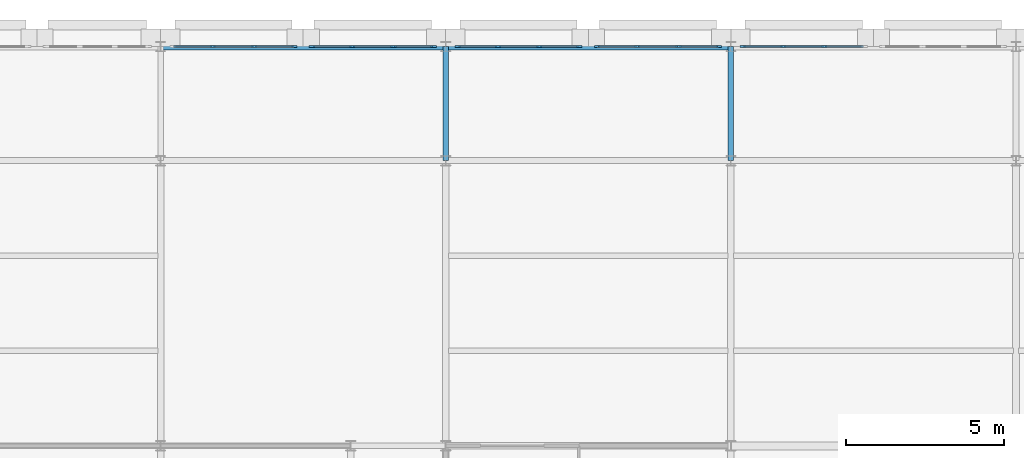
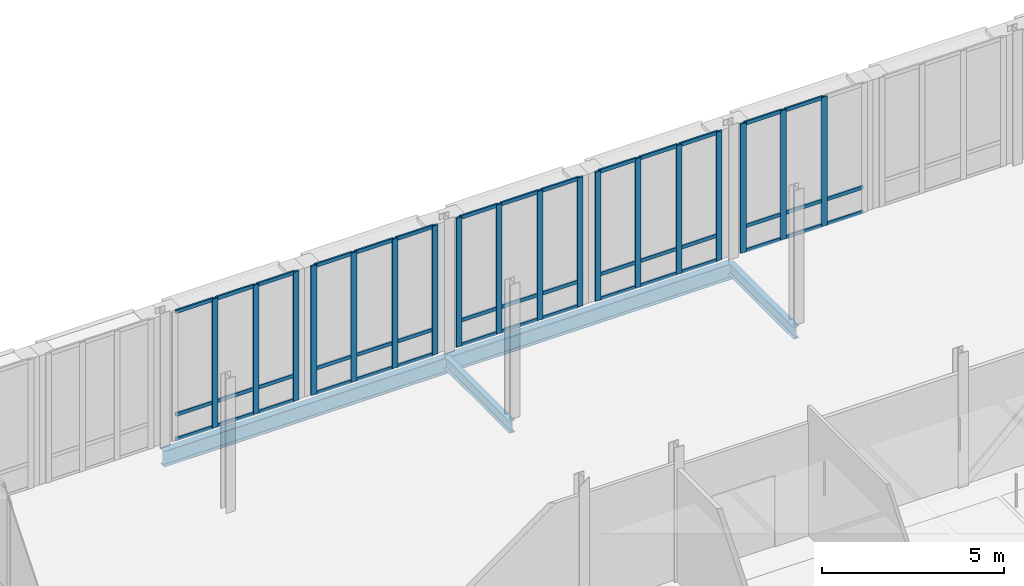
# One storey, part 42 of 130: 62 members, 4 beams, 5 elements without a shape of their own.
"""IFC4 building model written with IfcOpenShell, lengths in metres."""

from ifc_helpers import new_model, si_unit, direction, frame, origin, origin_2d, place, context, subcontext, project, spatial, rectangle, i_section, extrude, material, material_profile, profile_set, type_object, element, aggregate, save


model = new_model("IFC4")

# Units and contexts
model_context = context("Model", 3, precision=1e-05, world=origin(), true_north=direction((0.0, 1.0)))
body_context = subcontext(model_context, "Body", "Model", "MODEL_VIEW")
ifc_project = project(units=[si_unit("LENGTHUNIT", "METRE"), si_unit("AREAUNIT", "SQUARE_METRE"), si_unit("VOLUMEUNIT", "CUBIC_METRE"), si_unit("PLANEANGLEUNIT", "RADIAN"), si_unit("MASSUNIT", "GRAM", prefix="KILO"), si_unit("THERMODYNAMICTEMPERATUREUNIT", "KELVIN"), si_unit("POWERUNIT", "WATT")], contexts=[model_context])

# Site, building, storey
site_placement = place(None, origin())
site = spatial("IfcSite", under=ifc_project, at=site_placement, CompositionType="ELEMENT")
building_placement = place(site_placement, origin())
building = spatial("IfcBuilding", under=site, at=building_placement, Name="Tallowbark Science Centre", CompositionType="ELEMENT")
storey_placement = place(building_placement, frame((0.0, 0.0, 5.39990234375)))
storey = spatial("IfcBuildingStorey", under=building, at=storey_placement, Name="L01", CompositionType="ELEMENT", Elevation=5.39990234375)

# Beams
ifc_material_1 = material(Name="Structural Steel Grade 300PLUS (300 MPa)", Category="steel")
ifc_material_profile_1 = material_profile(ifc_material_1, i_section(OverallWidth=0.177734375, OverallDepth=0.406494140625, WebThickness=0.0078125, FlangeThickness=0.0126953125, FilletRadius=0.011474609375, at=origin_2d()), Name="410UB59.7")
ifc_profile_set_1 = profile_set([ifc_material_profile_1], Name="Structural Steel Grade 300PLUS (300 MPa)")
beam_type_1 = type_object("IfcBeamType", Name="BM-UB410", PredefinedType="BEAM", material=ifc_profile_set_1)
for number, where, z_axis, x_axis, name in (
    (1, (72.0, 108.0, -0.383056640625), (0.0, 1.0, 0.0), (-1.0, 0.0, 0.0), "Primary Girder GRDY-L01-720-1080-1116"),
    (2, (81.0, 108.0, -0.383056640625), (0.0, 1.0, 0.0), (-1.0, 0.0, 0.0), "Primary Girder GRDY-L01-810-1080-1116"),
):
    element("IfcBeam", number, at=place(storey_placement, frame(where, z_axis=z_axis, x_axis=x_axis)), inside=storey, type_object=beam_type_1, Name=name, PredefinedType="BEAM", context=body_context, shape_type="SweptSolid", body=[
        extrude(i_section(OverallWidth=0.177734375, OverallDepth=0.406494140625, WebThickness=0.0078125, FlangeThickness=0.0126953125, FilletRadius=0.011474609375, at=origin_2d()), origin(), (0.0, 0.0, 1.0), 3.60009765625),
    ])

# Curtain wall, members
ifc_material_2 = material(Name="Unitised Thermally Broken Aluminium and Low-E Double Glazing", Category="aluminium")
curtain_wall_type = type_object("IfcCurtainWallType", Name="CW-SYS-FACADE", PredefinedType="NOTDEFINED", material=ifc_material_2)
curtain_wall_1_placement = place(storey_placement, origin())
curtain_wall_1 = element("IfcCurtainWall", 3, at=curtain_wall_1_placement, inside=storey, type_object=curtain_wall_type, Name="Unitised Curtain Wall CAF-N-63A CW-L01-051", PredefinedType="NOTDEFINED")
ifc_material_3 = material(Name="Anodised Architectural Aluminium Alloy 6063-T6", Category="aluminium")
ifc_material_profile_2 = material_profile(ifc_material_3, rectangle(XDim=0.06494140625, YDim=0.179931640625, at=origin_2d()), Name="ALU65x180")
ifc_profile_set_2 = profile_set([ifc_material_profile_2], Name="Anodised Architectural Aluminium Alloy 6063-T6")
member_type_1 = type_object("IfcMemberType", Name="CWM-MUL-220", PredefinedType="MULLION", material=ifc_profile_set_2)
member_1_placement = place(storey_placement, frame((71.617431640625, 111.60009765625, 0.0), z_axis=(0.0, 0.0, 1.0), x_axis=(0.0, -1.0, 0.0)))
member_1 = element("IfcMember", 4, at=member_1_placement, type_object=member_type_1, Name="CW-01 mullion 1", PredefinedType="MULLION", context=body_context, shape_type="SweptSolid", body=[
    extrude(rectangle(XDim=0.06494140625, YDim=0.179931640625, at=origin_2d()), origin(), (0.0, 0.0, 1.0), 4.320068359375),
])
member_2_placement = place(storey_placement, frame((70.35009765625, 111.60009765625, 0.0), z_axis=(0.0, 0.0, 1.0), x_axis=(0.0, -1.0, 0.0)))
member_2 = element("IfcMember", 5, at=member_2_placement, type_object=member_type_1, Name="CW-01 mullion 2", PredefinedType="MULLION", context=body_context, shape_type="SweptSolid", body=[
    extrude(rectangle(XDim=0.06494140625, YDim=0.179931640625, at=origin_2d()), origin(), (0.0, 0.0, 1.0), 4.320068359375),
])
member_3_placement = place(storey_placement, frame((69.050048828125, 111.60009765625, 0.0), z_axis=(0.0, 0.0, 1.0), x_axis=(0.0, -1.0, 0.0)))
member_3 = element("IfcMember", 6, at=member_3_placement, type_object=member_type_1, Name="CW-01 mullion 3", PredefinedType="MULLION", context=body_context, shape_type="SweptSolid", body=[
    extrude(rectangle(XDim=0.06494140625, YDim=0.179931640625, at=origin_2d()), origin(), (0.0, 0.0, 1.0), 4.320068359375),
])
member_4_placement = place(storey_placement, frame((67.782470703125, 111.60009765625, 0.0), z_axis=(0.0, 0.0, 1.0), x_axis=(0.0, -1.0, 0.0)))
member_4 = element("IfcMember", 7, at=member_4_placement, type_object=member_type_1, Name="CW-01 mullion 4", PredefinedType="MULLION", context=body_context, shape_type="SweptSolid", body=[
    extrude(rectangle(XDim=0.06494140625, YDim=0.179931640625, at=origin_2d()), origin(), (0.0, 0.0, 1.0), 4.320068359375),
])

curtain_wall_2_placement = place(storey_placement, origin())
curtain_wall_2 = element("IfcCurtainWall", 8, at=curtain_wall_2_placement, inside=storey, type_object=curtain_wall_type, Name="Unitised Curtain Wall CAF-N-63B CW-L01-052", PredefinedType="NOTDEFINED")
member_5_placement = place(storey_placement, frame((67.217529296875, 111.60009765625, 0.0), z_axis=(0.0, 0.0, 1.0), x_axis=(0.0, -1.0, 0.0)))
member_5 = element("IfcMember", 9, at=member_5_placement, type_object=member_type_1, Name="CW-01 mullion 1", PredefinedType="MULLION", context=body_context, shape_type="SweptSolid", body=[
    extrude(rectangle(XDim=0.06494140625, YDim=0.179931640625, at=origin_2d()), origin(), (0.0, 0.0, 1.0), 4.320068359375),
])
member_6_placement = place(storey_placement, frame((65.949951171875, 111.60009765625, 0.0), z_axis=(0.0, 0.0, 1.0), x_axis=(0.0, -1.0, 0.0)))
member_6 = element("IfcMember", 10, at=member_6_placement, type_object=member_type_1, Name="CW-01 mullion 2", PredefinedType="MULLION", context=body_context, shape_type="SweptSolid", body=[
    extrude(rectangle(XDim=0.06494140625, YDim=0.179931640625, at=origin_2d()), origin(), (0.0, 0.0, 1.0), 4.320068359375),
])
member_7_placement = place(storey_placement, frame((64.64990234375, 111.60009765625, 0.0), z_axis=(0.0, 0.0, 1.0), x_axis=(0.0, -1.0, 0.0)))
member_7 = element("IfcMember", 11, at=member_7_placement, type_object=member_type_1, Name="CW-01 mullion 3", PredefinedType="MULLION", context=body_context, shape_type="SweptSolid", body=[
    extrude(rectangle(XDim=0.06494140625, YDim=0.179931640625, at=origin_2d()), origin(), (0.0, 0.0, 1.0), 4.320068359375),
])

curtain_wall_3_placement = place(storey_placement, origin())
curtain_wall_3 = element("IfcCurtainWall", 12, at=curtain_wall_3_placement, inside=storey, type_object=curtain_wall_type, Name="Unitised Curtain Wall CAF-N-72A CW-L01-053", PredefinedType="NOTDEFINED")
member_8_placement = place(storey_placement, frame((80.617431640625, 111.60009765625, 0.0), z_axis=(0.0, 0.0, 1.0), x_axis=(0.0, -1.0, 0.0)))
member_8 = element("IfcMember", 13, at=member_8_placement, type_object=member_type_1, Name="CW-01 mullion 1", PredefinedType="MULLION", context=body_context, shape_type="SweptSolid", body=[
    extrude(rectangle(XDim=0.06494140625, YDim=0.179931640625, at=origin_2d()), origin(), (0.0, 0.0, 1.0), 4.320068359375),
])
member_9_placement = place(storey_placement, frame((79.35009765625, 111.60009765625, 0.0), z_axis=(0.0, 0.0, 1.0), x_axis=(0.0, -1.0, 0.0)))
member_9 = element("IfcMember", 14, at=member_9_placement, type_object=member_type_1, Name="CW-01 mullion 2", PredefinedType="MULLION", context=body_context, shape_type="SweptSolid", body=[
    extrude(rectangle(XDim=0.06494140625, YDim=0.179931640625, at=origin_2d()), origin(), (0.0, 0.0, 1.0), 4.320068359375),
])
member_10_placement = place(storey_placement, frame((78.050048828125, 111.60009765625, 0.0), z_axis=(0.0, 0.0, 1.0), x_axis=(0.0, -1.0, 0.0)))
member_10 = element("IfcMember", 15, at=member_10_placement, type_object=member_type_1, Name="CW-01 mullion 3", PredefinedType="MULLION", context=body_context, shape_type="SweptSolid", body=[
    extrude(rectangle(XDim=0.06494140625, YDim=0.179931640625, at=origin_2d()), origin(), (0.0, 0.0, 1.0), 4.320068359375),
])
member_11_placement = place(storey_placement, frame((76.782470703125, 111.60009765625, 0.0), z_axis=(0.0, 0.0, 1.0), x_axis=(0.0, -1.0, 0.0)))
member_11 = element("IfcMember", 16, at=member_11_placement, type_object=member_type_1, Name="CW-01 mullion 4", PredefinedType="MULLION", context=body_context, shape_type="SweptSolid", body=[
    extrude(rectangle(XDim=0.06494140625, YDim=0.179931640625, at=origin_2d()), origin(), (0.0, 0.0, 1.0), 4.320068359375),
])

curtain_wall_4_placement = place(storey_placement, origin())
curtain_wall_4 = element("IfcCurtainWall", 17, at=curtain_wall_4_placement, inside=storey, type_object=curtain_wall_type, Name="Unitised Curtain Wall CAF-N-72B CW-L01-054", PredefinedType="NOTDEFINED")
member_12_placement = place(storey_placement, frame((76.217529296875, 111.60009765625, 0.0), z_axis=(0.0, 0.0, 1.0), x_axis=(0.0, -1.0, 0.0)))
member_12 = element("IfcMember", 18, at=member_12_placement, type_object=member_type_1, Name="CW-01 mullion 1", PredefinedType="MULLION", context=body_context, shape_type="SweptSolid", body=[
    extrude(rectangle(XDim=0.06494140625, YDim=0.179931640625, at=origin_2d()), origin(), (0.0, 0.0, 1.0), 4.320068359375),
])
member_13_placement = place(storey_placement, frame((74.949951171875, 111.60009765625, 0.0), z_axis=(0.0, 0.0, 1.0), x_axis=(0.0, -1.0, 0.0)))
member_13 = element("IfcMember", 19, at=member_13_placement, type_object=member_type_1, Name="CW-01 mullion 2", PredefinedType="MULLION", context=body_context, shape_type="SweptSolid", body=[
    extrude(rectangle(XDim=0.06494140625, YDim=0.179931640625, at=origin_2d()), origin(), (0.0, 0.0, 1.0), 4.320068359375),
])
member_14_placement = place(storey_placement, frame((73.64990234375, 111.60009765625, 0.0), z_axis=(0.0, 0.0, 1.0), x_axis=(0.0, -1.0, 0.0)))
member_14 = element("IfcMember", 20, at=member_14_placement, type_object=member_type_1, Name="CW-01 mullion 3", PredefinedType="MULLION", context=body_context, shape_type="SweptSolid", body=[
    extrude(rectangle(XDim=0.06494140625, YDim=0.179931640625, at=origin_2d()), origin(), (0.0, 0.0, 1.0), 4.320068359375),
])
member_15_placement = place(storey_placement, frame((72.382568359375, 111.60009765625, 0.0), z_axis=(0.0, 0.0, 1.0), x_axis=(0.0, -1.0, 0.0)))
member_15 = element("IfcMember", 21, at=member_15_placement, type_object=member_type_1, Name="CW-01 mullion 4", PredefinedType="MULLION", context=body_context, shape_type="SweptSolid", body=[
    extrude(rectangle(XDim=0.06494140625, YDim=0.179931640625, at=origin_2d()), origin(), (0.0, 0.0, 1.0), 4.320068359375),
])

curtain_wall_5_placement = place(storey_placement, origin())
curtain_wall_5 = element("IfcCurtainWall", 22, at=curtain_wall_5_placement, inside=storey, type_object=curtain_wall_type, Name="Unitised Curtain Wall CAF-N-81B CW-L01-056", PredefinedType="NOTDEFINED")
member_16_placement = place(storey_placement, frame((83.949951171875, 111.60009765625, 0.0), z_axis=(0.0, 0.0, 1.0), x_axis=(0.0, -1.0, 0.0)))
member_16 = element("IfcMember", 23, at=member_16_placement, type_object=member_type_1, Name="CW-01 mullion 2", PredefinedType="MULLION", context=body_context, shape_type="SweptSolid", body=[
    extrude(rectangle(XDim=0.06494140625, YDim=0.179931640625, at=origin_2d()), origin(), (0.0, 0.0, 1.0), 4.320068359375),
])
member_17_placement = place(storey_placement, frame((82.64990234375, 111.60009765625, 0.0), z_axis=(0.0, 0.0, 1.0), x_axis=(0.0, -1.0, 0.0)))
member_17 = element("IfcMember", 24, at=member_17_placement, type_object=member_type_1, Name="CW-01 mullion 3", PredefinedType="MULLION", context=body_context, shape_type="SweptSolid", body=[
    extrude(rectangle(XDim=0.06494140625, YDim=0.179931640625, at=origin_2d()), origin(), (0.0, 0.0, 1.0), 4.320068359375),
])
member_18_placement = place(storey_placement, frame((81.382568359375, 111.60009765625, 0.0), z_axis=(0.0, 0.0, 1.0), x_axis=(0.0, -1.0, 0.0)))
member_18 = element("IfcMember", 25, at=member_18_placement, type_object=member_type_1, Name="CW-01 mullion 4", PredefinedType="MULLION", context=body_context, shape_type="SweptSolid", body=[
    extrude(rectangle(XDim=0.06494140625, YDim=0.179931640625, at=origin_2d()), origin(), (0.0, 0.0, 1.0), 4.320068359375),
])

# Member
ifc_material_profile_3 = material_profile(ifc_material_3, rectangle(XDim=0.054931640625, YDim=0.1201171875, at=origin_2d()), Name="ALU55x120")
ifc_profile_set_3 = profile_set([ifc_material_profile_3], Name="Anodised Architectural Aluminium Alloy 6063-T6")
member_type_2 = type_object("IfcMemberType", Name="CWM-TRN-150", PredefinedType="USERDEFINED", material=ifc_profile_set_3)
member_19_placement = place(storey_placement, frame((71.5849609375, 111.60009765625, 0.027587890625), z_axis=(-1.0, 0.0, 0.0), x_axis=(0.0, -1.0, 0.0)))
member_19 = element("IfcMember", 26, at=member_19_placement, type_object=member_type_2, Name="CW-01 transom 1.1", ObjectType="TRANSOM", PredefinedType="USERDEFINED", context=body_context, shape_type="SweptSolid", body=[
    extrude(rectangle(XDim=0.054931640625, YDim=0.1201171875, at=origin_2d()), origin(), (0.0, 0.0, 1.0), 1.202392578125),
])

member_20_placement = place(storey_placement, frame((71.5849609375, 111.60009765625, 0.85009765625), z_axis=(-1.0, 0.0, 0.0), x_axis=(0.0, -1.0, 0.0)))
member_20 = element("IfcMember", 27, at=member_20_placement, type_object=member_type_2, Name="CW-01 transom 1.2", ObjectType="TRANSOM", PredefinedType="USERDEFINED", context=body_context, shape_type="SweptSolid", body=[
    extrude(rectangle(XDim=0.054931640625, YDim=0.1201171875, at=origin_2d()), origin(), (0.0, 0.0, 1.0), 1.202392578125),
])

member_21_placement = place(storey_placement, frame((71.5849609375, 111.60009765625, 4.29248046875), z_axis=(-1.0, 0.0, 0.0), x_axis=(0.0, -1.0, 0.0)))
member_21 = element("IfcMember", 28, at=member_21_placement, type_object=member_type_2, Name="CW-01 transom 1.3", ObjectType="TRANSOM", PredefinedType="USERDEFINED", context=body_context, shape_type="SweptSolid", body=[
    extrude(rectangle(XDim=0.054931640625, YDim=0.1201171875, at=origin_2d()), origin(), (0.0, 0.0, 1.0), 1.202392578125),
])

member_22_placement = place(storey_placement, frame((70.3173828125, 111.60009765625, 0.027587890625), z_axis=(-1.0, 0.0, 0.0), x_axis=(0.0, -1.0, 0.0)))
member_22 = element("IfcMember", 29, at=member_22_placement, type_object=member_type_2, Name="CW-01 transom 2.1", ObjectType="TRANSOM", PredefinedType="USERDEFINED", context=body_context, shape_type="SweptSolid", body=[
    extrude(rectangle(XDim=0.054931640625, YDim=0.1201171875, at=origin_2d()), origin(), (0.0, 0.0, 1.0), 1.23486328125),
])

member_23_placement = place(storey_placement, frame((70.3173828125, 111.60009765625, 0.85009765625), z_axis=(-1.0, 0.0, 0.0), x_axis=(0.0, -1.0, 0.0)))
member_23 = element("IfcMember", 30, at=member_23_placement, type_object=member_type_2, Name="CW-01 transom 2.2", ObjectType="TRANSOM", PredefinedType="USERDEFINED", context=body_context, shape_type="SweptSolid", body=[
    extrude(rectangle(XDim=0.054931640625, YDim=0.1201171875, at=origin_2d()), origin(), (0.0, 0.0, 1.0), 1.23486328125),
])

member_24_placement = place(storey_placement, frame((70.3173828125, 111.60009765625, 4.29248046875), z_axis=(-1.0, 0.0, 0.0), x_axis=(0.0, -1.0, 0.0)))
member_24 = element("IfcMember", 31, at=member_24_placement, type_object=member_type_2, Name="CW-01 transom 2.3", ObjectType="TRANSOM", PredefinedType="USERDEFINED", context=body_context, shape_type="SweptSolid", body=[
    extrude(rectangle(XDim=0.054931640625, YDim=0.1201171875, at=origin_2d()), origin(), (0.0, 0.0, 1.0), 1.23486328125),
])

member_25_placement = place(storey_placement, frame((69.017578125, 111.60009765625, 0.027587890625), z_axis=(-1.0, 0.0, 0.0), x_axis=(0.0, -1.0, 0.0)))
member_25 = element("IfcMember", 32, at=member_25_placement, type_object=member_type_2, Name="CW-01 transom 3.1", ObjectType="TRANSOM", PredefinedType="USERDEFINED", context=body_context, shape_type="SweptSolid", body=[
    extrude(rectangle(XDim=0.054931640625, YDim=0.1201171875, at=origin_2d()), origin(), (0.0, 0.0, 1.0), 1.20263671875),
])

member_26_placement = place(storey_placement, frame((69.017578125, 111.60009765625, 0.85009765625), z_axis=(-1.0, 0.0, 0.0), x_axis=(0.0, -1.0, 0.0)))
member_26 = element("IfcMember", 33, at=member_26_placement, type_object=member_type_2, Name="CW-01 transom 3.2", ObjectType="TRANSOM", PredefinedType="USERDEFINED", context=body_context, shape_type="SweptSolid", body=[
    extrude(rectangle(XDim=0.054931640625, YDim=0.1201171875, at=origin_2d()), origin(), (0.0, 0.0, 1.0), 1.20263671875),
])

member_27_placement = place(storey_placement, frame((69.017578125, 111.60009765625, 4.29248046875), z_axis=(-1.0, 0.0, 0.0), x_axis=(0.0, -1.0, 0.0)))
member_27 = element("IfcMember", 34, at=member_27_placement, type_object=member_type_2, Name="CW-01 transom 3.3", ObjectType="TRANSOM", PredefinedType="USERDEFINED", context=body_context, shape_type="SweptSolid", body=[
    extrude(rectangle(XDim=0.054931640625, YDim=0.1201171875, at=origin_2d()), origin(), (0.0, 0.0, 1.0), 1.20263671875),
])

aggregate(curtain_wall_1, [member_1, member_2, member_3, member_4, member_19, member_20, member_21, member_22, member_23, member_24, member_25, member_26, member_27])

member_28_placement = place(storey_placement, frame((67.18505859375, 111.60009765625, 0.027587890625), z_axis=(-1.0, 0.0, 0.0), x_axis=(0.0, -1.0, 0.0)))
member_28 = element("IfcMember", 35, at=member_28_placement, type_object=member_type_2, Name="CW-01 transom 1.1", ObjectType="TRANSOM", PredefinedType="USERDEFINED", context=body_context, shape_type="SweptSolid", body=[
    extrude(rectangle(XDim=0.054931640625, YDim=0.1201171875, at=origin_2d()), origin(), (0.0, 0.0, 1.0), 1.20263671875),
])

member_29_placement = place(storey_placement, frame((67.18505859375, 111.60009765625, 0.85009765625), z_axis=(-1.0, 0.0, 0.0), x_axis=(0.0, -1.0, 0.0)))
member_29 = element("IfcMember", 36, at=member_29_placement, type_object=member_type_2, Name="CW-01 transom 1.2", ObjectType="TRANSOM", PredefinedType="USERDEFINED", context=body_context, shape_type="SweptSolid", body=[
    extrude(rectangle(XDim=0.054931640625, YDim=0.1201171875, at=origin_2d()), origin(), (0.0, 0.0, 1.0), 1.20263671875),
])

member_30_placement = place(storey_placement, frame((67.18505859375, 111.60009765625, 4.29248046875), z_axis=(-1.0, 0.0, 0.0), x_axis=(0.0, -1.0, 0.0)))
member_30 = element("IfcMember", 37, at=member_30_placement, type_object=member_type_2, Name="CW-01 transom 1.3", ObjectType="TRANSOM", PredefinedType="USERDEFINED", context=body_context, shape_type="SweptSolid", body=[
    extrude(rectangle(XDim=0.054931640625, YDim=0.1201171875, at=origin_2d()), origin(), (0.0, 0.0, 1.0), 1.20263671875),
])

member_31_placement = place(storey_placement, frame((65.91748046875, 111.60009765625, 0.027587890625), z_axis=(-1.0, 0.0, 0.0), x_axis=(0.0, -1.0, 0.0)))
member_31 = element("IfcMember", 38, at=member_31_placement, type_object=member_type_2, Name="CW-01 transom 2.1", ObjectType="TRANSOM", PredefinedType="USERDEFINED", context=body_context, shape_type="SweptSolid", body=[
    extrude(rectangle(XDim=0.054931640625, YDim=0.1201171875, at=origin_2d()), origin(), (0.0, 0.0, 1.0), 1.23486328125),
])

member_32_placement = place(storey_placement, frame((65.91748046875, 111.60009765625, 0.85009765625), z_axis=(-1.0, 0.0, 0.0), x_axis=(0.0, -1.0, 0.0)))
member_32 = element("IfcMember", 39, at=member_32_placement, type_object=member_type_2, Name="CW-01 transom 2.2", ObjectType="TRANSOM", PredefinedType="USERDEFINED", context=body_context, shape_type="SweptSolid", body=[
    extrude(rectangle(XDim=0.054931640625, YDim=0.1201171875, at=origin_2d()), origin(), (0.0, 0.0, 1.0), 1.23486328125),
])

member_33_placement = place(storey_placement, frame((65.91748046875, 111.60009765625, 4.29248046875), z_axis=(-1.0, 0.0, 0.0), x_axis=(0.0, -1.0, 0.0)))
member_33 = element("IfcMember", 40, at=member_33_placement, type_object=member_type_2, Name="CW-01 transom 2.3", ObjectType="TRANSOM", PredefinedType="USERDEFINED", context=body_context, shape_type="SweptSolid", body=[
    extrude(rectangle(XDim=0.054931640625, YDim=0.1201171875, at=origin_2d()), origin(), (0.0, 0.0, 1.0), 1.23486328125),
])

member_34_placement = place(storey_placement, frame((64.617431640625, 111.60009765625, 0.027587890625), z_axis=(-1.0, 0.0, 0.0), x_axis=(0.0, -1.0, 0.0)))
member_34 = element("IfcMember", 41, at=member_34_placement, type_object=member_type_2, Name="CW-01 transom 3.1", ObjectType="TRANSOM", PredefinedType="USERDEFINED", context=body_context, shape_type="SweptSolid", body=[
    extrude(rectangle(XDim=0.054931640625, YDim=0.1201171875, at=origin_2d()), origin(), (0.0, 0.0, 1.0), 1.202392578125),
])

member_35_placement = place(storey_placement, frame((64.617431640625, 111.60009765625, 0.85009765625), z_axis=(-1.0, 0.0, 0.0), x_axis=(0.0, -1.0, 0.0)))
member_35 = element("IfcMember", 42, at=member_35_placement, type_object=member_type_2, Name="CW-01 transom 3.2", ObjectType="TRANSOM", PredefinedType="USERDEFINED", context=body_context, shape_type="SweptSolid", body=[
    extrude(rectangle(XDim=0.054931640625, YDim=0.1201171875, at=origin_2d()), origin(), (0.0, 0.0, 1.0), 1.202392578125),
])

member_36_placement = place(storey_placement, frame((64.617431640625, 111.60009765625, 4.29248046875), z_axis=(-1.0, 0.0, 0.0), x_axis=(0.0, -1.0, 0.0)))
member_36 = element("IfcMember", 43, at=member_36_placement, type_object=member_type_2, Name="CW-01 transom 3.3", ObjectType="TRANSOM", PredefinedType="USERDEFINED", context=body_context, shape_type="SweptSolid", body=[
    extrude(rectangle(XDim=0.054931640625, YDim=0.1201171875, at=origin_2d()), origin(), (0.0, 0.0, 1.0), 1.202392578125),
])

aggregate(curtain_wall_2, [member_5, member_6, member_7, member_28, member_29, member_30, member_31, member_32, member_33, member_34, member_35, member_36])

member_37_placement = place(storey_placement, frame((80.5849609375, 111.60009765625, 0.027587890625), z_axis=(-1.0, 0.0, 0.0), x_axis=(0.0, -1.0, 0.0)))
member_37 = element("IfcMember", 44, at=member_37_placement, type_object=member_type_2, Name="CW-01 transom 1.1", ObjectType="TRANSOM", PredefinedType="USERDEFINED", context=body_context, shape_type="SweptSolid", body=[
    extrude(rectangle(XDim=0.054931640625, YDim=0.1201171875, at=origin_2d()), origin(), (0.0, 0.0, 1.0), 1.202392578125),
])

member_38_placement = place(storey_placement, frame((80.5849609375, 111.60009765625, 0.85009765625), z_axis=(-1.0, 0.0, 0.0), x_axis=(0.0, -1.0, 0.0)))
member_38 = element("IfcMember", 45, at=member_38_placement, type_object=member_type_2, Name="CW-01 transom 1.2", ObjectType="TRANSOM", PredefinedType="USERDEFINED", context=body_context, shape_type="SweptSolid", body=[
    extrude(rectangle(XDim=0.054931640625, YDim=0.1201171875, at=origin_2d()), origin(), (0.0, 0.0, 1.0), 1.202392578125),
])

member_39_placement = place(storey_placement, frame((80.5849609375, 111.60009765625, 4.29248046875), z_axis=(-1.0, 0.0, 0.0), x_axis=(0.0, -1.0, 0.0)))
member_39 = element("IfcMember", 46, at=member_39_placement, type_object=member_type_2, Name="CW-01 transom 1.3", ObjectType="TRANSOM", PredefinedType="USERDEFINED", context=body_context, shape_type="SweptSolid", body=[
    extrude(rectangle(XDim=0.054931640625, YDim=0.1201171875, at=origin_2d()), origin(), (0.0, 0.0, 1.0), 1.202392578125),
])

member_40_placement = place(storey_placement, frame((79.3173828125, 111.60009765625, 0.027587890625), z_axis=(-1.0, 0.0, 0.0), x_axis=(0.0, -1.0, 0.0)))
member_40 = element("IfcMember", 47, at=member_40_placement, type_object=member_type_2, Name="CW-01 transom 2.1", ObjectType="TRANSOM", PredefinedType="USERDEFINED", context=body_context, shape_type="SweptSolid", body=[
    extrude(rectangle(XDim=0.054931640625, YDim=0.1201171875, at=origin_2d()), origin(), (0.0, 0.0, 1.0), 1.23486328125),
])

member_41_placement = place(storey_placement, frame((79.3173828125, 111.60009765625, 0.85009765625), z_axis=(-1.0, 0.0, 0.0), x_axis=(0.0, -1.0, 0.0)))
member_41 = element("IfcMember", 48, at=member_41_placement, type_object=member_type_2, Name="CW-01 transom 2.2", ObjectType="TRANSOM", PredefinedType="USERDEFINED", context=body_context, shape_type="SweptSolid", body=[
    extrude(rectangle(XDim=0.054931640625, YDim=0.1201171875, at=origin_2d()), origin(), (0.0, 0.0, 1.0), 1.23486328125),
])

member_42_placement = place(storey_placement, frame((79.3173828125, 111.60009765625, 4.29248046875), z_axis=(-1.0, 0.0, 0.0), x_axis=(0.0, -1.0, 0.0)))
member_42 = element("IfcMember", 49, at=member_42_placement, type_object=member_type_2, Name="CW-01 transom 2.3", ObjectType="TRANSOM", PredefinedType="USERDEFINED", context=body_context, shape_type="SweptSolid", body=[
    extrude(rectangle(XDim=0.054931640625, YDim=0.1201171875, at=origin_2d()), origin(), (0.0, 0.0, 1.0), 1.23486328125),
])

member_43_placement = place(storey_placement, frame((78.017578125, 111.60009765625, 0.027587890625), z_axis=(-1.0, 0.0, 0.0), x_axis=(0.0, -1.0, 0.0)))
member_43 = element("IfcMember", 50, at=member_43_placement, type_object=member_type_2, Name="CW-01 transom 3.1", ObjectType="TRANSOM", PredefinedType="USERDEFINED", context=body_context, shape_type="SweptSolid", body=[
    extrude(rectangle(XDim=0.054931640625, YDim=0.1201171875, at=origin_2d()), origin(), (0.0, 0.0, 1.0), 1.20263671875),
])

member_44_placement = place(storey_placement, frame((78.017578125, 111.60009765625, 0.85009765625), z_axis=(-1.0, 0.0, 0.0), x_axis=(0.0, -1.0, 0.0)))
member_44 = element("IfcMember", 51, at=member_44_placement, type_object=member_type_2, Name="CW-01 transom 3.2", ObjectType="TRANSOM", PredefinedType="USERDEFINED", context=body_context, shape_type="SweptSolid", body=[
    extrude(rectangle(XDim=0.054931640625, YDim=0.1201171875, at=origin_2d()), origin(), (0.0, 0.0, 1.0), 1.20263671875),
])

member_45_placement = place(storey_placement, frame((78.017578125, 111.60009765625, 4.29248046875), z_axis=(-1.0, 0.0, 0.0), x_axis=(0.0, -1.0, 0.0)))
member_45 = element("IfcMember", 52, at=member_45_placement, type_object=member_type_2, Name="CW-01 transom 3.3", ObjectType="TRANSOM", PredefinedType="USERDEFINED", context=body_context, shape_type="SweptSolid", body=[
    extrude(rectangle(XDim=0.054931640625, YDim=0.1201171875, at=origin_2d()), origin(), (0.0, 0.0, 1.0), 1.20263671875),
])

aggregate(curtain_wall_3, [member_8, member_9, member_10, member_11, member_37, member_38, member_39, member_40, member_41, member_42, member_43, member_44, member_45])

member_46_placement = place(storey_placement, frame((76.18505859375, 111.60009765625, 0.027587890625), z_axis=(-1.0, 0.0, 0.0), x_axis=(0.0, -1.0, 0.0)))
member_46 = element("IfcMember", 53, at=member_46_placement, type_object=member_type_2, Name="CW-01 transom 1.1", ObjectType="TRANSOM", PredefinedType="USERDEFINED", context=body_context, shape_type="SweptSolid", body=[
    extrude(rectangle(XDim=0.054931640625, YDim=0.1201171875, at=origin_2d()), origin(), (0.0, 0.0, 1.0), 1.20263671875),
])

member_47_placement = place(storey_placement, frame((76.18505859375, 111.60009765625, 0.85009765625), z_axis=(-1.0, 0.0, 0.0), x_axis=(0.0, -1.0, 0.0)))
member_47 = element("IfcMember", 54, at=member_47_placement, type_object=member_type_2, Name="CW-01 transom 1.2", ObjectType="TRANSOM", PredefinedType="USERDEFINED", context=body_context, shape_type="SweptSolid", body=[
    extrude(rectangle(XDim=0.054931640625, YDim=0.1201171875, at=origin_2d()), origin(), (0.0, 0.0, 1.0), 1.20263671875),
])

member_48_placement = place(storey_placement, frame((76.18505859375, 111.60009765625, 4.29248046875), z_axis=(-1.0, 0.0, 0.0), x_axis=(0.0, -1.0, 0.0)))
member_48 = element("IfcMember", 55, at=member_48_placement, type_object=member_type_2, Name="CW-01 transom 1.3", ObjectType="TRANSOM", PredefinedType="USERDEFINED", context=body_context, shape_type="SweptSolid", body=[
    extrude(rectangle(XDim=0.054931640625, YDim=0.1201171875, at=origin_2d()), origin(), (0.0, 0.0, 1.0), 1.20263671875),
])

member_49_placement = place(storey_placement, frame((74.91748046875, 111.60009765625, 0.027587890625), z_axis=(-1.0, 0.0, 0.0), x_axis=(0.0, -1.0, 0.0)))
member_49 = element("IfcMember", 56, at=member_49_placement, type_object=member_type_2, Name="CW-01 transom 2.1", ObjectType="TRANSOM", PredefinedType="USERDEFINED", context=body_context, shape_type="SweptSolid", body=[
    extrude(rectangle(XDim=0.054931640625, YDim=0.1201171875, at=origin_2d()), origin(), (0.0, 0.0, 1.0), 1.23486328125),
])

member_50_placement = place(storey_placement, frame((74.91748046875, 111.60009765625, 0.85009765625), z_axis=(-1.0, 0.0, 0.0), x_axis=(0.0, -1.0, 0.0)))
member_50 = element("IfcMember", 57, at=member_50_placement, type_object=member_type_2, Name="CW-01 transom 2.2", ObjectType="TRANSOM", PredefinedType="USERDEFINED", context=body_context, shape_type="SweptSolid", body=[
    extrude(rectangle(XDim=0.054931640625, YDim=0.1201171875, at=origin_2d()), origin(), (0.0, 0.0, 1.0), 1.23486328125),
])

member_51_placement = place(storey_placement, frame((74.91748046875, 111.60009765625, 4.29248046875), z_axis=(-1.0, 0.0, 0.0), x_axis=(0.0, -1.0, 0.0)))
member_51 = element("IfcMember", 58, at=member_51_placement, type_object=member_type_2, Name="CW-01 transom 2.3", ObjectType="TRANSOM", PredefinedType="USERDEFINED", context=body_context, shape_type="SweptSolid", body=[
    extrude(rectangle(XDim=0.054931640625, YDim=0.1201171875, at=origin_2d()), origin(), (0.0, 0.0, 1.0), 1.23486328125),
])

member_52_placement = place(storey_placement, frame((73.617431640625, 111.60009765625, 0.027587890625), z_axis=(-1.0, 0.0, 0.0), x_axis=(0.0, -1.0, 0.0)))
member_52 = element("IfcMember", 59, at=member_52_placement, type_object=member_type_2, Name="CW-01 transom 3.1", ObjectType="TRANSOM", PredefinedType="USERDEFINED", context=body_context, shape_type="SweptSolid", body=[
    extrude(rectangle(XDim=0.054931640625, YDim=0.1201171875, at=origin_2d()), origin(), (0.0, 0.0, 1.0), 1.202392578125),
])

member_53_placement = place(storey_placement, frame((73.617431640625, 111.60009765625, 0.85009765625), z_axis=(-1.0, 0.0, 0.0), x_axis=(0.0, -1.0, 0.0)))
member_53 = element("IfcMember", 60, at=member_53_placement, type_object=member_type_2, Name="CW-01 transom 3.2", ObjectType="TRANSOM", PredefinedType="USERDEFINED", context=body_context, shape_type="SweptSolid", body=[
    extrude(rectangle(XDim=0.054931640625, YDim=0.1201171875, at=origin_2d()), origin(), (0.0, 0.0, 1.0), 1.202392578125),
])

member_54_placement = place(storey_placement, frame((73.617431640625, 111.60009765625, 4.29248046875), z_axis=(-1.0, 0.0, 0.0), x_axis=(0.0, -1.0, 0.0)))
member_54 = element("IfcMember", 61, at=member_54_placement, type_object=member_type_2, Name="CW-01 transom 3.3", ObjectType="TRANSOM", PredefinedType="USERDEFINED", context=body_context, shape_type="SweptSolid", body=[
    extrude(rectangle(XDim=0.054931640625, YDim=0.1201171875, at=origin_2d()), origin(), (0.0, 0.0, 1.0), 1.202392578125),
])

aggregate(curtain_wall_4, [member_12, member_13, member_14, member_15, member_46, member_47, member_48, member_49, member_50, member_51, member_52, member_53, member_54])

member_55_placement = place(storey_placement, frame((85.18505859375, 111.60009765625, 0.027587890625), z_axis=(-1.0, 0.0, 0.0), x_axis=(0.0, -1.0, 0.0)))
member_55 = element("IfcMember", 62, at=member_55_placement, type_object=member_type_2, Name="CW-01 transom 1.1", ObjectType="TRANSOM", PredefinedType="USERDEFINED", context=body_context, shape_type="SweptSolid", body=[
    extrude(rectangle(XDim=0.054931640625, YDim=0.1201171875, at=origin_2d()), origin(), (0.0, 0.0, 1.0), 1.20263671875),
])

member_56_placement = place(storey_placement, frame((85.18505859375, 111.60009765625, 0.85009765625), z_axis=(-1.0, 0.0, 0.0), x_axis=(0.0, -1.0, 0.0)))
member_56 = element("IfcMember", 63, at=member_56_placement, type_object=member_type_2, Name="CW-01 transom 1.2", ObjectType="TRANSOM", PredefinedType="USERDEFINED", context=body_context, shape_type="SweptSolid", body=[
    extrude(rectangle(XDim=0.054931640625, YDim=0.1201171875, at=origin_2d()), origin(), (0.0, 0.0, 1.0), 1.20263671875),
])

member_57_placement = place(storey_placement, frame((83.91748046875, 111.60009765625, 0.027587890625), z_axis=(-1.0, 0.0, 0.0), x_axis=(0.0, -1.0, 0.0)))
member_57 = element("IfcMember", 64, at=member_57_placement, type_object=member_type_2, Name="CW-01 transom 2.1", ObjectType="TRANSOM", PredefinedType="USERDEFINED", context=body_context, shape_type="SweptSolid", body=[
    extrude(rectangle(XDim=0.054931640625, YDim=0.1201171875, at=origin_2d()), origin(), (0.0, 0.0, 1.0), 1.23486328125),
])

member_58_placement = place(storey_placement, frame((83.91748046875, 111.60009765625, 0.85009765625), z_axis=(-1.0, 0.0, 0.0), x_axis=(0.0, -1.0, 0.0)))
member_58 = element("IfcMember", 65, at=member_58_placement, type_object=member_type_2, Name="CW-01 transom 2.2", ObjectType="TRANSOM", PredefinedType="USERDEFINED", context=body_context, shape_type="SweptSolid", body=[
    extrude(rectangle(XDim=0.054931640625, YDim=0.1201171875, at=origin_2d()), origin(), (0.0, 0.0, 1.0), 1.23486328125),
])

member_59_placement = place(storey_placement, frame((83.91748046875, 111.60009765625, 4.29248046875), z_axis=(-1.0, 0.0, 0.0), x_axis=(0.0, -1.0, 0.0)))
member_59 = element("IfcMember", 66, at=member_59_placement, type_object=member_type_2, Name="CW-01 transom 2.3", ObjectType="TRANSOM", PredefinedType="USERDEFINED", context=body_context, shape_type="SweptSolid", body=[
    extrude(rectangle(XDim=0.054931640625, YDim=0.1201171875, at=origin_2d()), origin(), (0.0, 0.0, 1.0), 1.23486328125),
])

member_60_placement = place(storey_placement, frame((82.617431640625, 111.60009765625, 0.027587890625), z_axis=(-1.0, 0.0, 0.0), x_axis=(0.0, -1.0, 0.0)))
member_60 = element("IfcMember", 67, at=member_60_placement, type_object=member_type_2, Name="CW-01 transom 3.1", ObjectType="TRANSOM", PredefinedType="USERDEFINED", context=body_context, shape_type="SweptSolid", body=[
    extrude(rectangle(XDim=0.054931640625, YDim=0.1201171875, at=origin_2d()), origin(), (0.0, 0.0, 1.0), 1.202392578125),
])

member_61_placement = place(storey_placement, frame((82.617431640625, 111.60009765625, 0.85009765625), z_axis=(-1.0, 0.0, 0.0), x_axis=(0.0, -1.0, 0.0)))
member_61 = element("IfcMember", 68, at=member_61_placement, type_object=member_type_2, Name="CW-01 transom 3.2", ObjectType="TRANSOM", PredefinedType="USERDEFINED", context=body_context, shape_type="SweptSolid", body=[
    extrude(rectangle(XDim=0.054931640625, YDim=0.1201171875, at=origin_2d()), origin(), (0.0, 0.0, 1.0), 1.202392578125),
])

member_62_placement = place(storey_placement, frame((82.617431640625, 111.60009765625, 4.29248046875), z_axis=(-1.0, 0.0, 0.0), x_axis=(0.0, -1.0, 0.0)))
member_62 = element("IfcMember", 69, at=member_62_placement, type_object=member_type_2, Name="CW-01 transom 3.3", ObjectType="TRANSOM", PredefinedType="USERDEFINED", context=body_context, shape_type="SweptSolid", body=[
    extrude(rectangle(XDim=0.054931640625, YDim=0.1201171875, at=origin_2d()), origin(), (0.0, 0.0, 1.0), 1.202392578125),
])

aggregate(curtain_wall_5, [member_16, member_17, member_18, member_55, member_56, member_57, member_58, member_59, member_60, member_61, member_62])

# Beams
ifc_material_profile_4 = material_profile(ifc_material_1, i_section(OverallWidth=0.208984375, OverallDepth=0.532958984375, WebThickness=0.01025390625, FlangeThickness=0.015625, FilletRadius=0.013916015625, at=origin_2d()), Name="530UB92.4")
ifc_profile_set_4 = profile_set([ifc_material_profile_4], Name="Structural Steel Grade 300PLUS (300 MPa)")
beam_type_2 = type_object("IfcBeamType", Name="LNT-UB530", PredefinedType="LINTEL", material=ifc_profile_set_4)
for number, where, z_axis, x_axis, name in (
    (70, (63.0, 111.60009765625, -0.4462890625), (1.0, 0.0, 0.0), (0.0, 1.0, 0.0), "Primary Girder GRDX-L01-630-720-1116"),
    (71, (72.0, 111.60009765625, -0.4462890625), (1.0, 0.0, 0.0), (0.0, 1.0, 0.0), "Primary Girder GRDX-L01-720-810-1116"),
):
    element("IfcBeam", number, at=place(storey_placement, frame(where, z_axis=z_axis, x_axis=x_axis)), inside=storey, type_object=beam_type_2, Name=name, PredefinedType="LINTEL", context=body_context, shape_type="SweptSolid", body=[
        extrude(i_section(OverallWidth=0.208984375, OverallDepth=0.532958984375, WebThickness=0.01025390625, FlangeThickness=0.015625, FilletRadius=0.013916015625, at=origin_2d()), origin(), (0.0, 0.0, 1.0), 9.0),
    ])

save(model, "model.ifc")
